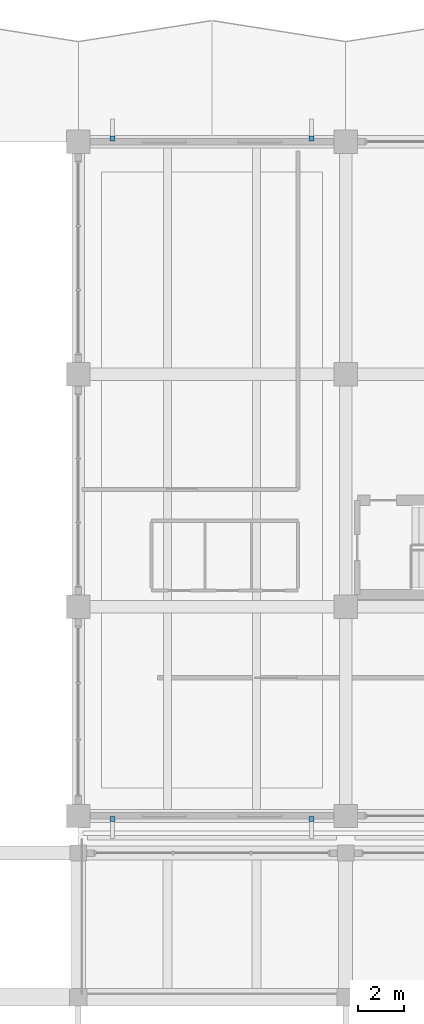
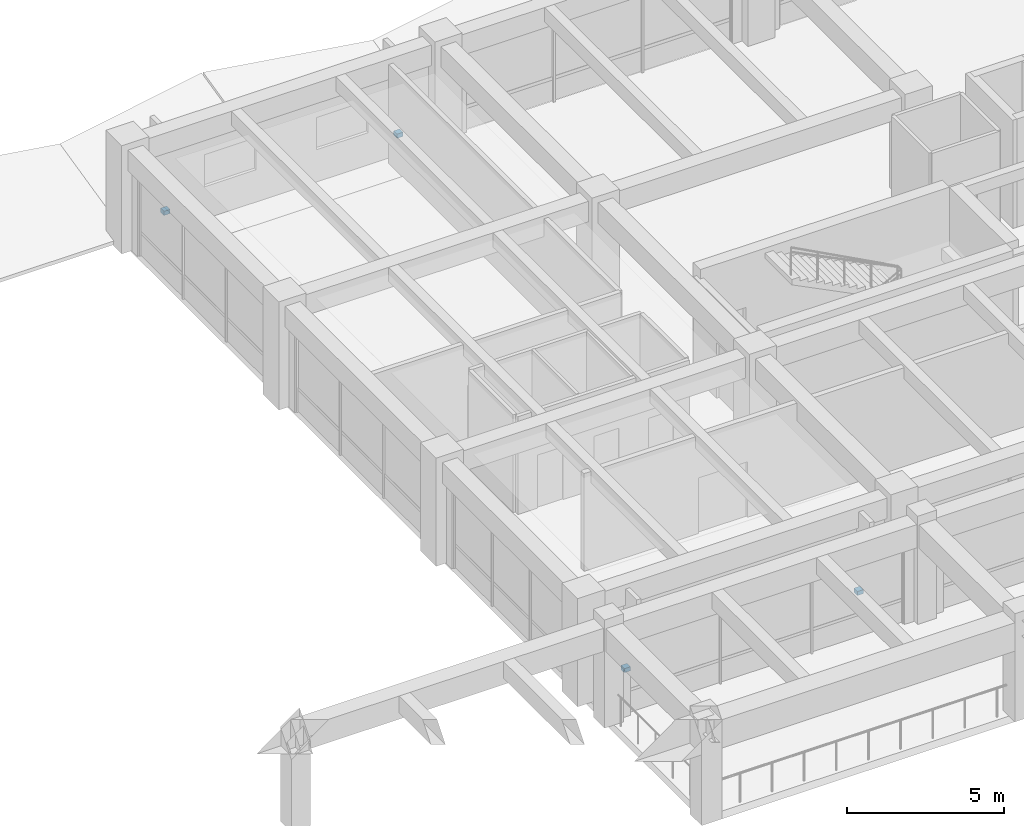
# One storey, part 86 of 98: 4 discrete accessories.
"""IFC4 building model written with IfcOpenShell, lengths in metres."""

from ifc_helpers import new_model, si_unit, direction, frame, origin, origin_2d, place, context, subcontext, project, spatial, rectangle, extrude, material, type_object, element, save


model = new_model("IFC4")

# Units and contexts
model_context = context("Model", 3, precision=1e-05, world=origin(), true_north=direction((0.0, 1.0)))
body_context = subcontext(model_context, "Body", "Model", "MODEL_VIEW")
ifc_project = project(units=[si_unit("LENGTHUNIT", "METRE"), si_unit("AREAUNIT", "SQUARE_METRE"), si_unit("VOLUMEUNIT", "CUBIC_METRE"), si_unit("PLANEANGLEUNIT", "RADIAN"), si_unit("MASSUNIT", "GRAM", prefix="KILO")], contexts=[model_context])

# Site, building, storey
site_placement = place(None, origin())
site = spatial("IfcSite", under=ifc_project, at=site_placement, CompositionType="ELEMENT")
building_placement = place(site_placement, origin())
building = spatial("IfcBuilding", under=site, at=building_placement, Name="Ologun Quay Terminus", CompositionType="ELEMENT")
storey_placement = place(building_placement, frame((0.0, 0.0, 4.199951171875)))
storey = spatial("IfcBuildingStorey", under=building, at=storey_placement, Name="L01", CompositionType="ELEMENT", Elevation=4.199951171875)

# Discrete accessories
ifc_material = material(Name="Steel S355", Category="steel")
discrete_accessory_type = type_object("IfcDiscreteAccessoryType", Name="Solar Fin Stainless Support Bracket", PredefinedType="BRACKET", material=ifc_material)
for number, where, z_axis, x_axis, name in (
    (1, (116.469970703125, 85.659912109375, 0.52001953125), (0.0, 0.0, 1.0), (1.0, 0.0, 0.0), "BRK-01 Solar Fin Bracket WEW-EW-L01-1-1"),
    (2, (125.030029296875, 85.659912109375, 0.52001953125), (0.0, 0.0, 1.0), (1.0, 0.0, 0.0), "BRK-01 Solar Fin Bracket WEW-EW-L01-1-2"),
    (3, (116.469970703125, 114.93994140625, 0.52001953125), (0.0, 0.0, 1.0), (1.0, 0.0, 0.0), "BRK-01 Solar Fin Bracket WEW-EW-L01-17-1"),
    (4, (125.030029296875, 114.93994140625, 0.52001953125), (0.0, 0.0, 1.0), (1.0, 0.0, 0.0), "BRK-01 Solar Fin Bracket WEW-EW-L01-17-2"),
):
    element("IfcDiscreteAccessory", number, at=place(storey_placement, frame(where, z_axis=z_axis, x_axis=x_axis)), inside=storey, type_object=discrete_accessory_type, Name=name, PredefinedType="BRACKET", context=body_context, shape_type="SweptSolid", body=[
        extrude(rectangle(XDim=0.219970703125, YDim=0.219970703125, at=origin_2d()), origin(), (0.0, 0.0, 1.0), 0.159912109375),
    ])

save(model, "model.ifc")
